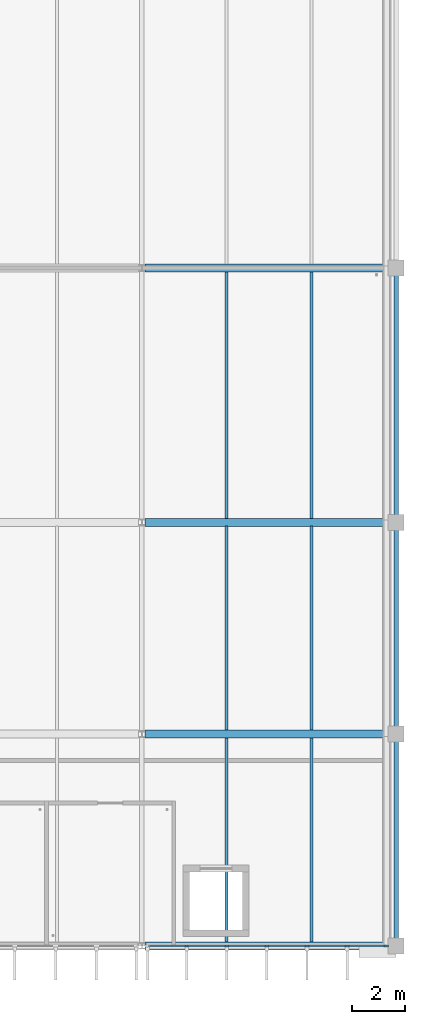
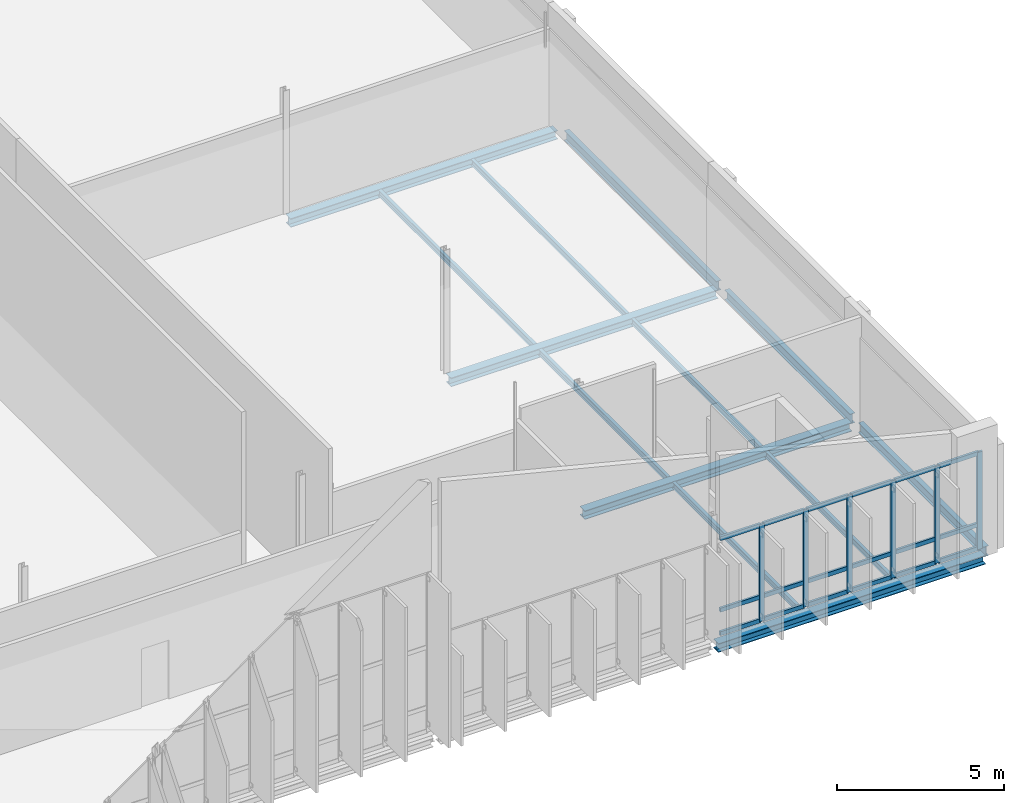
# One storey, part 46 of 110: 24 members, 13 beams, 1 element without a shape of its own.
"""IFC4 building model written with IfcOpenShell, lengths in metres."""

from ifc_helpers import new_model, si_unit, direction, frame, origin, origin_2d, place, context, subcontext, project, spatial, rectangle, i_section, extrude, material, material_profile, profile_set, type_object, element, aggregate, save


model = new_model("IFC4")

# Units and contexts
model_context = context("Model", 3, precision=1e-05, world=origin(), true_north=direction((0.0, 1.0)))
body_context = subcontext(model_context, "Body", "Model", "MODEL_VIEW")
ifc_project = project(units=[si_unit("LENGTHUNIT", "METRE"), si_unit("AREAUNIT", "SQUARE_METRE"), si_unit("VOLUMEUNIT", "CUBIC_METRE"), si_unit("PLANEANGLEUNIT", "RADIAN"), si_unit("MASSUNIT", "GRAM", prefix="KILO")], contexts=[model_context])

# Site, building, storey
site_placement = place(None, origin())
site = spatial("IfcSite", under=ifc_project, at=site_placement, CompositionType="ELEMENT")
building_placement = place(site_placement, origin())
building = spatial("IfcBuilding", under=site, at=building_placement, Name="Dunescarp Central Library", CompositionType="ELEMENT")
storey_placement = place(building_placement, frame((0.0, 0.0, 9.60009765625)))
storey = spatial("IfcBuildingStorey", under=building, at=storey_placement, Name="L02", CompositionType="ELEMENT", Elevation=9.60009765625)

# Curtain wall, members
ifc_material_1 = material(Name="Marine-grade anodised aluminium 6063-T6", Category="aluminium")
curtain_wall_type = type_object("IfcCurtainWallType", Name="ARC-CW-STICK", PredefinedType="NOTDEFINED", material=ifc_material_1)
curtain_wall_placement = place(storey_placement, origin())
curtain_wall = element("IfcCurtainWall", 1, at=curtain_wall_placement, inside=storey, type_object=curtain_wall_type, Name="L02 curtain wall CW-V5-165", PredefinedType="NOTDEFINED")
ifc_material_profile_1 = material_profile(ifc_material_1, rectangle(XDim=0.080078125, YDim=0.179931640625, at=origin_2d()), Name="AL 80x180")
ifc_profile_set_1 = profile_set([ifc_material_profile_1], Name="Marine-grade anodised aluminium 6063-T6")
member_type_1 = type_object("IfcMemberType", Name="ARC-CWM-180", PredefinedType="MULLION", material=ifc_profile_set_1)
member_1_placement = place(storey_placement, frame((167.625, 4.800048828125, 0.0), z_axis=(0.0, 0.0, 1.0), x_axis=(0.0, -1.0, 0.0)))
member_1 = element("IfcMember", 2, at=member_1_placement, type_object=member_type_1, Name="CW-V5-165 mullion 1", PredefinedType="MULLION", context=body_context, shape_type="SweptSolid", body=[
    extrude(rectangle(XDim=0.080078125, YDim=0.179931640625, at=origin_2d()), origin(), (0.0, 0.0, 1.0), 3.5498046875),
])
member_2_placement = place(storey_placement, frame((166.14990234375, 4.800048828125, 0.0), z_axis=(0.0, 0.0, 1.0), x_axis=(0.0, -1.0, 0.0)))
member_2 = element("IfcMember", 3, at=member_2_placement, type_object=member_type_1, Name="CW-V5-165 mullion 2", PredefinedType="MULLION", context=body_context, shape_type="SweptSolid", body=[
    extrude(rectangle(XDim=0.080078125, YDim=0.179931640625, at=origin_2d()), origin(), (0.0, 0.0, 1.0), 3.5498046875),
])
member_3_placement = place(storey_placement, frame((164.635009765625, 4.800048828125, 0.0), z_axis=(0.0, 0.0, 1.0), x_axis=(0.0, -1.0, 0.0)))
member_3 = element("IfcMember", 4, at=member_3_placement, type_object=member_type_1, Name="CW-V5-165 mullion 3", PredefinedType="MULLION", context=body_context, shape_type="SweptSolid", body=[
    extrude(rectangle(XDim=0.080078125, YDim=0.179931640625, at=origin_2d()), origin(), (0.0, 0.0, 1.0), 3.5498046875),
])
member_4_placement = place(storey_placement, frame((163.1201171875, 4.800048828125, 0.0), z_axis=(0.0, 0.0, 1.0), x_axis=(0.0, -1.0, 0.0)))
member_4 = element("IfcMember", 5, at=member_4_placement, type_object=member_type_1, Name="CW-V5-165 mullion 4", PredefinedType="MULLION", context=body_context, shape_type="SweptSolid", body=[
    extrude(rectangle(XDim=0.080078125, YDim=0.179931640625, at=origin_2d()), origin(), (0.0, 0.0, 1.0), 3.5498046875),
])
member_5_placement = place(storey_placement, frame((161.60498046875, 4.800048828125, 0.0), z_axis=(0.0, 0.0, 1.0), x_axis=(0.0, -1.0, 0.0)))
member_5 = element("IfcMember", 6, at=member_5_placement, type_object=member_type_1, Name="CW-V5-165 mullion 5", PredefinedType="MULLION", context=body_context, shape_type="SweptSolid", body=[
    extrude(rectangle(XDim=0.080078125, YDim=0.179931640625, at=origin_2d()), origin(), (0.0, 0.0, 1.0), 3.5498046875),
])
member_6_placement = place(storey_placement, frame((160.090087890625, 4.800048828125, 0.0), z_axis=(0.0, 0.0, 1.0), x_axis=(0.0, -1.0, 0.0)))
member_6 = element("IfcMember", 7, at=member_6_placement, type_object=member_type_1, Name="CW-V5-165 mullion 6", PredefinedType="MULLION", context=body_context, shape_type="SweptSolid", body=[
    extrude(rectangle(XDim=0.080078125, YDim=0.179931640625, at=origin_2d()), origin(), (0.0, 0.0, 1.0), 3.5498046875),
])
ifc_material_profile_2 = material_profile(ifc_material_1, rectangle(XDim=0.080078125, YDim=0.14990234375, at=origin_2d()), Name="AL 80x150")
ifc_profile_set_2 = profile_set([ifc_material_profile_2], Name="Marine-grade anodised aluminium 6063-T6")
member_type_2 = type_object("IfcMemberType", Name="ARC-CWT-150", PredefinedType="USERDEFINED", material=ifc_profile_set_2)
member_7_placement = place(storey_placement, frame((167.5849609375, 4.800048828125, 0.039794921875), z_axis=(-1.0, 0.0, 0.0), x_axis=(0.0, -1.0, 0.0)))
member_7 = element("IfcMember", 8, at=member_7_placement, type_object=member_type_2, Name="CW-V5-165 transom 1.1", ObjectType="TRANSOM", PredefinedType="USERDEFINED", context=body_context, shape_type="SweptSolid", body=[
    extrude(rectangle(XDim=0.080078125, YDim=0.14990234375, at=origin_2d()), origin(), (0.0, 0.0, 1.0), 1.39501953125),
])
member_8_placement = place(storey_placement, frame((167.5849609375, 4.800048828125, 0.89990234375), z_axis=(-1.0, 0.0, 0.0), x_axis=(0.0, -1.0, 0.0)))
member_8 = element("IfcMember", 9, at=member_8_placement, type_object=member_type_2, Name="CW-V5-165 transom 1.2", ObjectType="TRANSOM", PredefinedType="USERDEFINED", context=body_context, shape_type="SweptSolid", body=[
    extrude(rectangle(XDim=0.080078125, YDim=0.14990234375, at=origin_2d()), origin(), (0.0, 0.0, 1.0), 1.39501953125),
])
member_9_placement = place(storey_placement, frame((167.5849609375, 4.800048828125, 3.510009765625), z_axis=(-1.0, 0.0, 0.0), x_axis=(0.0, -1.0, 0.0)))
member_9 = element("IfcMember", 10, at=member_9_placement, type_object=member_type_2, Name="CW-V5-165 transom 1.3", ObjectType="TRANSOM", PredefinedType="USERDEFINED", context=body_context, shape_type="SweptSolid", body=[
    extrude(rectangle(XDim=0.080078125, YDim=0.14990234375, at=origin_2d()), origin(), (0.0, 0.0, 1.0), 1.39501953125),
])
member_10_placement = place(storey_placement, frame((166.110107421875, 4.800048828125, 0.039794921875), z_axis=(-1.0, 0.0, 0.0), x_axis=(0.0, -1.0, 0.0)))
member_10 = element("IfcMember", 11, at=member_10_placement, type_object=member_type_2, Name="CW-V5-165 transom 2.1", ObjectType="TRANSOM", PredefinedType="USERDEFINED", context=body_context, shape_type="SweptSolid", body=[
    extrude(rectangle(XDim=0.080078125, YDim=0.14990234375, at=origin_2d()), origin(), (0.0, 0.0, 1.0), 1.43505859375),
])
member_11_placement = place(storey_placement, frame((166.110107421875, 4.800048828125, 0.89990234375), z_axis=(-1.0, 0.0, 0.0), x_axis=(0.0, -1.0, 0.0)))
member_11 = element("IfcMember", 12, at=member_11_placement, type_object=member_type_2, Name="CW-V5-165 transom 2.2", ObjectType="TRANSOM", PredefinedType="USERDEFINED", context=body_context, shape_type="SweptSolid", body=[
    extrude(rectangle(XDim=0.080078125, YDim=0.14990234375, at=origin_2d()), origin(), (0.0, 0.0, 1.0), 1.43505859375),
])
member_12_placement = place(storey_placement, frame((166.110107421875, 4.800048828125, 3.510009765625), z_axis=(-1.0, 0.0, 0.0), x_axis=(0.0, -1.0, 0.0)))
member_12 = element("IfcMember", 13, at=member_12_placement, type_object=member_type_2, Name="CW-V5-165 transom 2.3", ObjectType="TRANSOM", PredefinedType="USERDEFINED", context=body_context, shape_type="SweptSolid", body=[
    extrude(rectangle(XDim=0.080078125, YDim=0.14990234375, at=origin_2d()), origin(), (0.0, 0.0, 1.0), 1.43505859375),
])
member_13_placement = place(storey_placement, frame((164.594970703125, 4.800048828125, 0.039794921875), z_axis=(-1.0, 0.0, 0.0), x_axis=(0.0, -1.0, 0.0)))
member_13 = element("IfcMember", 14, at=member_13_placement, type_object=member_type_2, Name="CW-V5-165 transom 3.1", ObjectType="TRANSOM", PredefinedType="USERDEFINED", context=body_context, shape_type="SweptSolid", body=[
    extrude(rectangle(XDim=0.080078125, YDim=0.14990234375, at=origin_2d()), origin(), (0.0, 0.0, 1.0), 1.43505859375),
])
member_14_placement = place(storey_placement, frame((164.594970703125, 4.800048828125, 0.89990234375), z_axis=(-1.0, 0.0, 0.0), x_axis=(0.0, -1.0, 0.0)))
member_14 = element("IfcMember", 15, at=member_14_placement, type_object=member_type_2, Name="CW-V5-165 transom 3.2", ObjectType="TRANSOM", PredefinedType="USERDEFINED", context=body_context, shape_type="SweptSolid", body=[
    extrude(rectangle(XDim=0.080078125, YDim=0.14990234375, at=origin_2d()), origin(), (0.0, 0.0, 1.0), 1.43505859375),
])
member_15_placement = place(storey_placement, frame((164.594970703125, 4.800048828125, 3.510009765625), z_axis=(-1.0, 0.0, 0.0), x_axis=(0.0, -1.0, 0.0)))
member_15 = element("IfcMember", 16, at=member_15_placement, type_object=member_type_2, Name="CW-V5-165 transom 3.3", ObjectType="TRANSOM", PredefinedType="USERDEFINED", context=body_context, shape_type="SweptSolid", body=[
    extrude(rectangle(XDim=0.080078125, YDim=0.14990234375, at=origin_2d()), origin(), (0.0, 0.0, 1.0), 1.43505859375),
])
member_16_placement = place(storey_placement, frame((163.080078125, 4.800048828125, 0.039794921875), z_axis=(-1.0, 0.0, 0.0), x_axis=(0.0, -1.0, 0.0)))
member_16 = element("IfcMember", 17, at=member_16_placement, type_object=member_type_2, Name="CW-V5-165 transom 4.1", ObjectType="TRANSOM", PredefinedType="USERDEFINED", context=body_context, shape_type="SweptSolid", body=[
    extrude(rectangle(XDim=0.080078125, YDim=0.14990234375, at=origin_2d()), origin(), (0.0, 0.0, 1.0), 1.43505859375),
])
member_17_placement = place(storey_placement, frame((163.080078125, 4.800048828125, 0.89990234375), z_axis=(-1.0, 0.0, 0.0), x_axis=(0.0, -1.0, 0.0)))
member_17 = element("IfcMember", 18, at=member_17_placement, type_object=member_type_2, Name="CW-V5-165 transom 4.2", ObjectType="TRANSOM", PredefinedType="USERDEFINED", context=body_context, shape_type="SweptSolid", body=[
    extrude(rectangle(XDim=0.080078125, YDim=0.14990234375, at=origin_2d()), origin(), (0.0, 0.0, 1.0), 1.43505859375),
])
member_18_placement = place(storey_placement, frame((163.080078125, 4.800048828125, 3.510009765625), z_axis=(-1.0, 0.0, 0.0), x_axis=(0.0, -1.0, 0.0)))
member_18 = element("IfcMember", 19, at=member_18_placement, type_object=member_type_2, Name="CW-V5-165 transom 4.3", ObjectType="TRANSOM", PredefinedType="USERDEFINED", context=body_context, shape_type="SweptSolid", body=[
    extrude(rectangle(XDim=0.080078125, YDim=0.14990234375, at=origin_2d()), origin(), (0.0, 0.0, 1.0), 1.43505859375),
])
member_19_placement = place(storey_placement, frame((161.56494140625, 4.800048828125, 0.039794921875), z_axis=(-1.0, 0.0, 0.0), x_axis=(0.0, -1.0, 0.0)))
member_19 = element("IfcMember", 20, at=member_19_placement, type_object=member_type_2, Name="CW-V5-165 transom 5.1", ObjectType="TRANSOM", PredefinedType="USERDEFINED", context=body_context, shape_type="SweptSolid", body=[
    extrude(rectangle(XDim=0.080078125, YDim=0.14990234375, at=origin_2d()), origin(), (0.0, 0.0, 1.0), 1.43505859375),
])
member_20_placement = place(storey_placement, frame((161.56494140625, 4.800048828125, 0.89990234375), z_axis=(-1.0, 0.0, 0.0), x_axis=(0.0, -1.0, 0.0)))
member_20 = element("IfcMember", 21, at=member_20_placement, type_object=member_type_2, Name="CW-V5-165 transom 5.2", ObjectType="TRANSOM", PredefinedType="USERDEFINED", context=body_context, shape_type="SweptSolid", body=[
    extrude(rectangle(XDim=0.080078125, YDim=0.14990234375, at=origin_2d()), origin(), (0.0, 0.0, 1.0), 1.43505859375),
])
member_21_placement = place(storey_placement, frame((161.56494140625, 4.800048828125, 3.510009765625), z_axis=(-1.0, 0.0, 0.0), x_axis=(0.0, -1.0, 0.0)))
member_21 = element("IfcMember", 22, at=member_21_placement, type_object=member_type_2, Name="CW-V5-165 transom 5.3", ObjectType="TRANSOM", PredefinedType="USERDEFINED", context=body_context, shape_type="SweptSolid", body=[
    extrude(rectangle(XDim=0.080078125, YDim=0.14990234375, at=origin_2d()), origin(), (0.0, 0.0, 1.0), 1.43505859375),
])
member_22_placement = place(storey_placement, frame((160.050048828125, 4.800048828125, 0.039794921875), z_axis=(-1.0, 0.0, 0.0), x_axis=(0.0, -1.0, 0.0)))
member_22 = element("IfcMember", 23, at=member_22_placement, type_object=member_type_2, Name="CW-V5-165 transom 6.1", ObjectType="TRANSOM", PredefinedType="USERDEFINED", context=body_context, shape_type="SweptSolid", body=[
    extrude(rectangle(XDim=0.080078125, YDim=0.14990234375, at=origin_2d()), origin(), (0.0, 0.0, 1.0), 1.39501953125),
])
member_23_placement = place(storey_placement, frame((160.050048828125, 4.800048828125, 0.89990234375), z_axis=(-1.0, 0.0, 0.0), x_axis=(0.0, -1.0, 0.0)))
member_23 = element("IfcMember", 24, at=member_23_placement, type_object=member_type_2, Name="CW-V5-165 transom 6.2", ObjectType="TRANSOM", PredefinedType="USERDEFINED", context=body_context, shape_type="SweptSolid", body=[
    extrude(rectangle(XDim=0.080078125, YDim=0.14990234375, at=origin_2d()), origin(), (0.0, 0.0, 1.0), 1.39501953125),
])
member_24_placement = place(storey_placement, frame((160.050048828125, 4.800048828125, 3.510009765625), z_axis=(-1.0, 0.0, 0.0), x_axis=(0.0, -1.0, 0.0)))
member_24 = element("IfcMember", 25, at=member_24_placement, type_object=member_type_2, Name="CW-V5-165 transom 6.3", ObjectType="TRANSOM", PredefinedType="USERDEFINED", context=body_context, shape_type="SweptSolid", body=[
    extrude(rectangle(XDim=0.080078125, YDim=0.14990234375, at=origin_2d()), origin(), (0.0, 0.0, 1.0), 1.39501953125),
])
aggregate(curtain_wall, [member_1, member_2, member_3, member_4, member_5, member_6, member_7, member_8, member_9, member_10, member_11, member_12, member_13, member_14, member_15, member_16, member_17, member_18, member_19, member_20, member_21, member_22, member_23, member_24])

# Beams
ifc_material_2 = material(Name="Steel S355JR", Category="steel")
ifc_material_profile_3 = material_profile(ifc_material_2, i_section(OverallWidth=0.300048828125, OverallDepth=0.320068359375, WebThickness=0.011474609375, FlangeThickness=0.0205078125, at=origin_2d()), Name="HEB 320")
ifc_profile_set_3 = profile_set([ifc_material_profile_3], Name="Steel S355JR")
beam_type_1 = type_object("IfcBeamType", Name="STR-BM-HEB320", PredefinedType="BEAM", material=ifc_profile_set_3)
for number, where, z_axis, x_axis, name in (
    (26, (158.52587890625, 4.800048828125, -0.3701171875), (1.0, 0.0, 0.0), (0.0, 1.0, 0.0), "L02 girder BM-L02-1198"),
    (27, (158.52587890625, 12.800048828125, -0.3701171875), (1.0, 0.0, 0.0), (0.0, 1.0, 0.0), "L02 girder BM-L02-1199"),
    (28, (158.52587890625, 20.800048828125, -0.3701171875), (1.0, 0.0, 0.0), (0.0, 1.0, 0.0), "L02 girder BM-L02-1203"),
    (29, (158.52587890625, 30.39990234375, -0.3701171875), (1.0, 0.0, 0.0), (0.0, 1.0, 0.0), "L02 girder BM-L02-1207"),
):
    element("IfcBeam", number, at=place(storey_placement, frame(where, z_axis=z_axis, x_axis=x_axis)), inside=storey, type_object=beam_type_1, Name=name, PredefinedType="BEAM", context=body_context, shape_type="SweptSolid", body=[
        extrude(i_section(OverallWidth=0.300048828125, OverallDepth=0.320068359375, WebThickness=0.011474609375, FlangeThickness=0.0205078125, at=origin_2d()), origin(), (0.0, 0.0, 1.0), 9.22705078125),
    ])
ifc_material_profile_4 = material_profile(ifc_material_2, i_section(OverallWidth=0.17138671875, OverallDepth=0.35498046875, WebThickness=0.00732421875, FlangeThickness=0.011474609375, at=origin_2d()), Name="UB 356x171x51")
ifc_profile_set_4 = profile_set([ifc_material_profile_4], Name="Steel S355JR")
beam_type_2 = type_object("IfcBeamType", Name="STR-BM-UB356X51", PredefinedType="BEAM", material=ifc_profile_set_4)
for number, where, z_axis, x_axis, name in (
    (30, (168.0, 5.047119140625, -0.38720703125), (0.0, 1.0, 0.0), (-1.0, 0.0, 0.0), "L02 girder BM-L02-1200"),
    (31, (168.0, 13.047119140625, -0.38720703125), (0.0, 1.0, 0.0), (-1.0, 0.0, 0.0), "L02 girder BM-L02-1204"),
):
    element("IfcBeam", number, at=place(storey_placement, frame(where, z_axis=z_axis, x_axis=x_axis)), inside=storey, type_object=beam_type_2, Name=name, PredefinedType="BEAM", context=body_context, shape_type="SweptSolid", body=[
        extrude(i_section(OverallWidth=0.17138671875, OverallDepth=0.35498046875, WebThickness=0.00732421875, FlangeThickness=0.011474609375, at=origin_2d()), origin(), (0.0, 0.0, 1.0), 7.505859375),
    ])
beam_placement = place(storey_placement, frame((168.0, 21.047119140625, -0.38720703125), z_axis=(0.0, 1.0, 0.0), x_axis=(-1.0, 0.0, 0.0)))
element("IfcBeam", 32, at=beam_placement, inside=storey, type_object=beam_type_2, Name="L02 girder BM-L02-1208", PredefinedType="BEAM", context=body_context, shape_type="SweptSolid", body=[
    extrude(i_section(OverallWidth=0.17138671875, OverallDepth=0.35498046875, WebThickness=0.00732421875, FlangeThickness=0.011474609375, at=origin_2d()), origin(), (0.0, 0.0, 1.0), 9.10595703125),
])
ifc_material_profile_5 = material_profile(ifc_material_2, i_section(OverallWidth=0.110107421875, OverallDepth=0.219970703125, WebThickness=0.005859375, FlangeThickness=0.00927734375, at=origin_2d()), Name="IPE 220")
ifc_profile_set_5 = profile_set([ifc_material_profile_5], Name="Steel S355JR")
beam_type_3 = type_object("IfcBeamType", Name="STR-JS-IPE220", PredefinedType="JOIST", material=ifc_profile_set_5)
for number, where, z_axis, x_axis, name in (
    (33, (161.60009765625, 4.947998046875, -0.320068359375), (0.0, 1.0, 0.0), (-1.0, 0.0, 0.0), "L02 joist JS-L02-1201"),
    (34, (164.800048828125, 4.947998046875, -0.320068359375), (0.0, 1.0, 0.0), (-1.0, 0.0, 0.0), "L02 joist JS-L02-1202"),
    (35, (161.60009765625, 12.947998046875, -0.320068359375), (0.0, 1.0, 0.0), (-1.0, 0.0, 0.0), "L02 joist JS-L02-1205"),
    (36, (164.800048828125, 12.947998046875, -0.320068359375), (0.0, 1.0, 0.0), (-1.0, 0.0, 0.0), "L02 joist JS-L02-1206"),
):
    element("IfcBeam", number, at=place(storey_placement, frame(where, z_axis=z_axis, x_axis=x_axis)), inside=storey, type_object=beam_type_3, Name=name, PredefinedType="JOIST", context=body_context, shape_type="SweptSolid", body=[
        extrude(i_section(OverallWidth=0.110107421875, OverallDepth=0.219970703125, WebThickness=0.005859375, FlangeThickness=0.00927734375, at=origin_2d()), origin(), (0.0, 0.0, 1.0), 7.7041015625),
    ])
for number, where, z_axis, x_axis, name in (
    (37, (161.60009765625, 20.947998046875, -0.320068359375), (0.0, 1.0, 0.0), (-1.0, 0.0, 0.0), "L02 joist JS-L02-1209"),
    (38, (164.800048828125, 20.947998046875, -0.320068359375), (0.0, 1.0, 0.0), (-1.0, 0.0, 0.0), "L02 joist JS-L02-1210"),
):
    element("IfcBeam", number, at=place(storey_placement, frame(where, z_axis=z_axis, x_axis=x_axis)), inside=storey, type_object=beam_type_3, Name=name, PredefinedType="JOIST", context=body_context, shape_type="SweptSolid", body=[
        extrude(i_section(OverallWidth=0.110107421875, OverallDepth=0.219970703125, WebThickness=0.005859375, FlangeThickness=0.00927734375, at=origin_2d()), origin(), (0.0, 0.0, 1.0), 9.303955078125),
    ])

save(model, "model.ifc")
